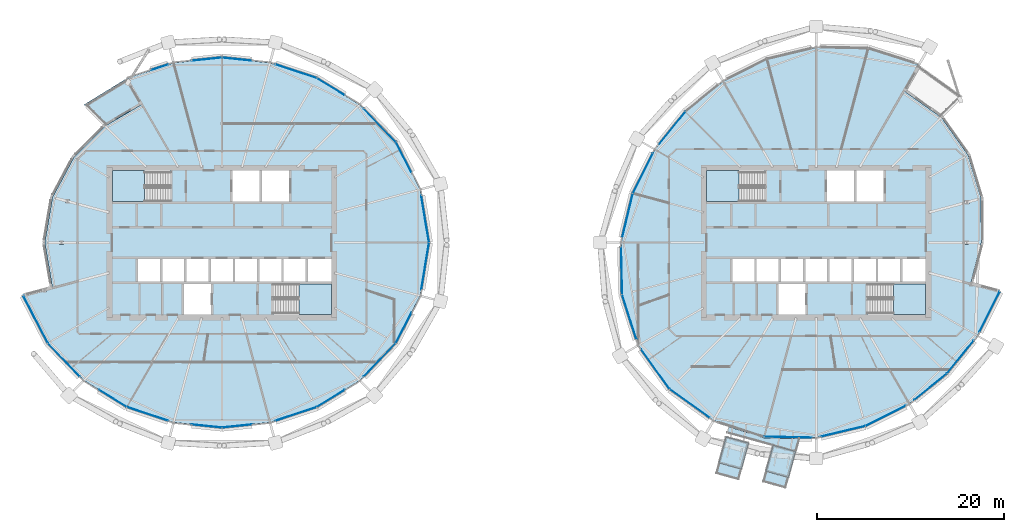
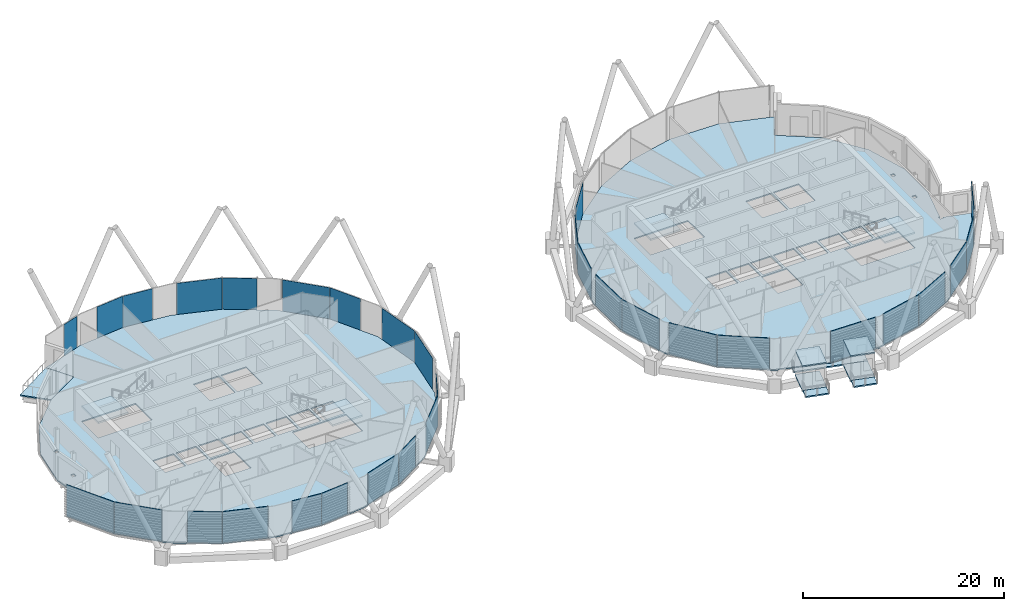
# One storey, part 19 of 37: 32 plates, 14 slabs, 6 elements without a shape of their own.
"""IFC4 building model written with IfcOpenShell, lengths in metres."""

from ifc_helpers import new_model, si_unit, direction, frame, origin, origin_2d, place, context, subcontext, project, spatial, polyline, rectangle, outline, extrude, material, layer, layer_set, type_object, element, aggregate, save


model = new_model("IFC4")

# Units and contexts
model_context = context("Model", 3, precision=1e-05, world=origin(), true_north=direction((0.0, 1.0)))
body_context = subcontext(model_context, "Body", "Model", "MODEL_VIEW")
ifc_project = project(units=[si_unit("LENGTHUNIT", "METRE"), si_unit("AREAUNIT", "SQUARE_METRE"), si_unit("VOLUMEUNIT", "CUBIC_METRE"), si_unit("PLANEANGLEUNIT", "RADIAN"), si_unit("MASSUNIT", "GRAM", prefix="KILO")], contexts=[model_context])

# Site, building, storey
site_placement = place(None, origin())
site = spatial("IfcSite", under=ifc_project, at=site_placement, CompositionType="ELEMENT")
building_placement = place(site_placement, origin())
building = spatial("IfcBuilding", under=site, at=building_placement, Name="Rimbun Link Towers", CompositionType="ELEMENT")
storey_placement = place(building_placement, frame((0.0, 0.0, 170.300048828125)))
storey = spatial("IfcBuildingStorey", under=building, at=storey_placement, Name="L41", CompositionType="ELEMENT", Elevation=170.300048828125)

# Slabs
ifc_material_1 = material(Name="Insulated metal floor panel on steel frame", Category="steel")
ifc_layer_1 = layer(ifc_material_1, 0.159912109375)
ifc_layer_set_1 = layer_set([ifc_layer_1], Name="CAPSULE balcony panel 160")
slab_type_1 = type_object("IfcSlabType", Name="CAPSULE balcony panel 160", PredefinedType="FLOOR", material=ifc_layer_set_1)
slab_1_placement = place(storey_placement, frame((0.0, 0.0, -0.16015625)))
element("IfcSlab", 1, at=slab_1_placement, inside=storey, type_object=slab_type_1, Name="CAPSULE D412.01 balcony floor", PredefinedType="FLOOR", context=body_context, shape_type="SweptSolid", body=[
    extrude(outline(polyline([(26.13134765625, -25.5146484375), (28.445556640625, -26.150146484375), (28.73681640625, -25.089599609375), (26.422607421875, -24.453857421875), (26.13134765625, -25.5146484375)])), origin(), (0.0, 0.0, 1.0), 0.16015625),
])
slab_2_placement = place(storey_placement, frame((0.0, 0.0, -0.16015625)))
element("IfcSlab", 2, at=slab_2_placement, inside=storey, type_object=slab_type_1, Name="CAPSULE D412.02 balcony floor", PredefinedType="FLOOR", context=body_context, shape_type="SweptSolid", body=[
    extrude(outline(polyline([(21.109375, -24.62548828125), (23.423583984375, -25.26123046875), (23.715087890625, -24.200439453125), (21.400634765625, -23.56494140625), (21.109375, -24.62548828125)])), origin(), (0.0, 0.0, 1.0), 0.16015625),
])
slab_3_placement = place(storey_placement, frame((0.0, 0.0, -0.16015625)))
element("IfcSlab", 3, at=slab_3_placement, inside=storey, type_object=slab_type_1, Name="CAPSULE D412 gallery floor", PredefinedType="FLOOR", context=body_context, shape_type="SweptSolid", body=[
    extrude(outline(polyline([(24.3994140625, -20.30126953125), (22.418212890625, -19.671142578125), (22.24560546875, -20.29931640625), (29.55322265625, -22.30615234375), (29.927001953125, -20.94482421875), (26.17431640625, -20.86572265625), (25.771484375, -20.737548828125), (25.786865234375, -20.68994140625), (24.41455078125, -20.253662109375), (24.3994140625, -20.30126953125)])), origin(), (0.0, 0.0, 1.0), 0.16015625),
])
ifc_material_2 = material(Name="Insulated metal floor panel on steel frame", Category="steel")
ifc_layer_2 = layer(ifc_material_2, 0.159912109375)
ifc_layer_set_2 = layer_set([ifc_layer_2], Name="CAPSULE floor panel 160")
slab_type_2 = type_object("IfcSlabType", Name="CAPSULE floor panel 160", PredefinedType="FLOOR", material=ifc_layer_set_2)
slab_4_placement = place(storey_placement, frame((0.0, 0.0, -0.16015625)))
element("IfcSlab", 4, at=slab_4_placement, inside=storey, type_object=slab_type_2, Name="CAPSULE D412.01 floor panel", PredefinedType="FLOOR", context=body_context, shape_type="SweptSolid", body=[
    extrude(outline(polyline([(26.374267578125, -24.440673828125), (28.78515625, -25.102783203125), (29.55322265625, -22.30615234375), (27.142333984375, -21.644287109375), (26.374267578125, -24.440673828125)])), origin(), (0.0, 0.0, 1.0), 0.16015625),
])
slab_5_placement = place(storey_placement, frame((0.0, 0.0, -0.16015625)))
element("IfcSlab", 5, at=slab_5_placement, inside=storey, type_object=slab_type_2, Name="CAPSULE D412.02 floor panel", PredefinedType="FLOOR", context=body_context, shape_type="SweptSolid", body=[
    extrude(outline(polyline([(21.3525390625, -23.551513671875), (23.76318359375, -24.213623046875), (24.53125, -21.417236328125), (22.12060546875, -20.755126953125), (21.3525390625, -23.551513671875)])), origin(), (0.0, 0.0, 1.0), 0.16015625),
])
ifc_material_3 = material(Name="Insulated metal roof panel with terracotta fascia", Category="masonry")
ifc_layer_3 = layer(ifc_material_3, 0.14990234375)
ifc_layer_set_3 = layer_set([ifc_layer_3], Name="CAPSULE roof panel 150")
slab_type_3 = type_object("IfcSlabType", Name="CAPSULE roof panel 150", PredefinedType="ROOF", material=ifc_layer_set_3)
slab_6_placement = place(storey_placement, frame((0.0, 0.0, 2.849853515625)))
element("IfcSlab", 6, at=slab_6_placement, inside=storey, type_object=slab_type_3, Name="CAPSULE D412.01 roof panel", PredefinedType="ROOF", context=body_context, shape_type="SweptSolid", body=[
    extrude(outline(polyline([(26.374267578125, -24.440673828125), (28.78515625, -25.102783203125), (29.55322265625, -22.30615234375), (27.142333984375, -21.644287109375), (26.374267578125, -24.440673828125)])), origin(), (0.0, 0.0, 1.0), 0.150146484375),
])
slab_7_placement = place(storey_placement, frame((0.0, 0.0, 2.849853515625)))
element("IfcSlab", 7, at=slab_7_placement, inside=storey, type_object=slab_type_3, Name="CAPSULE D412.02 roof panel", PredefinedType="ROOF", context=body_context, shape_type="SweptSolid", body=[
    extrude(outline(polyline([(21.3525390625, -23.551513671875), (23.76318359375, -24.213623046875), (24.53125, -21.417236328125), (22.12060546875, -20.755126953125), (21.3525390625, -23.551513671875)])), origin(), (0.0, 0.0, 1.0), 0.150146484375),
])
ifc_material_4 = material(Name="Concrete C35/45", Category="concrete")
ifc_layer_4 = layer(ifc_material_4, 0.14990234375)
ifc_layer_set_4 = layer_set([ifc_layer_4], Name="COMPOSITE FLOOR 150")
slab_type_4 = type_object("IfcSlabType", Name="COMPOSITE FLOOR 150", PredefinedType="FLOOR", material=ifc_layer_set_4)
slab_8_placement = place(storey_placement, frame((0.0, 0.0, -0.150146484375)))
element("IfcSlab", 8, at=slab_8_placement, inside=storey, type_object=slab_type_4, Name="Floor slab T1 L41", PredefinedType="FLOOR", context=body_context, shape_type="SweptSolid", body=[
    extrude(outline(polyline([(-49.843994140625, -4.848388671875), (-50.66845703125, 0.0), (-49.843994140625, 4.848388671875), (-47.55224609375, 9.12353515625), (-44.218505859375, 12.468505859375), (-40.28466796875, 14.7822265625), (-41.884521484375, 17.5537109375), (-36.896484375, 19.20654296875), (-31.75, 19.74853515625), (-26.603515625, 19.20654296875), (-21.615478515625, 17.5537109375), (-17.018798828125, 14.731201171875), (-13.176513671875, 10.723388671875), (-10.56494140625, 5.676513671875), (-9.631591796875, 0.0), (-10.56494140625, -5.676513671875), (-13.176513671875, -10.723388671875), (-17.018798828125, -14.731201171875), (-21.615478515625, -17.5537109375), (-26.603515625, -19.20654296875), (-31.75, -19.74853515625), (-36.896484375, -19.20654296875), (-41.884521484375, -17.5537109375), (-46.481201171875, -14.731201171875), (-50.323486328125, -10.723388671875), (-52.93505859375, -5.676513671875), (-50.901123046875, -5.131591796875), (-50.901123046875, -5.27490234375), (-50.502197265625, -5.27490234375), (-50.502197265625, -5.024658203125), (-49.843994140625, -4.848388671875)]), holes=[polyline([(-32.89990234375, -7.699951171875), (-32.89990234375, -4.39990234375), (-35.800048828125, -4.39990234375), (-35.800048828125, -7.699951171875), (-32.89990234375, -7.699951171875)]), polyline([(-38.361083984375, -4.14990234375), (-38.361083984375, -1.75), (-40.70556640625, -1.75), (-40.70556640625, -4.14990234375), (-38.361083984375, -4.14990234375)]), polyline([(-35.7666015625, -4.14990234375), (-35.7666015625, -1.75), (-38.111083984375, -1.75), (-38.111083984375, -4.14990234375), (-35.7666015625, -4.14990234375)]), polyline([(-33.172119140625, -4.14990234375), (-33.172119140625, -1.75), (-35.5166015625, -1.75), (-35.5166015625, -4.14990234375), (-33.172119140625, -4.14990234375)]), polyline([(-48.670654296875, -0.19677734375), (-48.670654296875, 0.19677734375), (-49.069580078125, 0.19677734375), (-49.069580078125, -0.19677734375), (-48.670654296875, -0.19677734375)]), polyline([(-48.0302734375, 4.218994140625), (-48.0302734375, 4.612548828125), (-48.42919921875, 4.612548828125), (-48.42919921875, 4.218994140625), (-48.0302734375, 4.218994140625)]), polyline([(-37.260009765625, 4.39990234375), (-37.260009765625, 7.699951171875), (-43.449951171875, 7.699951171875), (-43.449951171875, 4.39990234375), (-37.260009765625, 4.39990234375)]), polyline([(-20.050048828125, -7.699951171875), (-20.050048828125, -4.39990234375), (-26.239990234375, -4.39990234375), (-26.239990234375, -7.699951171875), (-20.050048828125, -7.699951171875)]), polyline([(-30.577880859375, -4.14990234375), (-30.577880859375, -1.75), (-32.922119140625, -1.75), (-32.922119140625, -4.14990234375), (-30.577880859375, -4.14990234375)]), polyline([(-27.9833984375, -4.14990234375), (-27.9833984375, -1.75), (-30.327880859375, -1.75), (-30.327880859375, -4.14990234375), (-27.9833984375, -4.14990234375)]), polyline([(-25.388916015625, -4.14990234375), (-25.388916015625, -1.75), (-27.7333984375, -1.75), (-27.7333984375, -4.14990234375), (-25.388916015625, -4.14990234375)]), polyline([(-22.79443359375, -4.14990234375), (-22.79443359375, -1.75), (-25.138916015625, -1.75), (-25.138916015625, -4.14990234375), (-22.79443359375, -4.14990234375)]), polyline([(-20.050048828125, -4.14990234375), (-20.050048828125, -1.75), (-22.54443359375, -1.75), (-22.54443359375, -4.14990234375), (-20.050048828125, -4.14990234375)]), polyline([(-27.699951171875, 4.39990234375), (-27.699951171875, 7.699951171875), (-30.60009765625, 7.699951171875), (-30.60009765625, 4.39990234375), (-27.699951171875, 4.39990234375)]), polyline([(-24.550048828125, 4.39990234375), (-24.550048828125, 7.699951171875), (-27.449951171875, 7.699951171875), (-27.449951171875, 4.39990234375), (-24.550048828125, 4.39990234375)])]), origin(), (0.0, 0.0, 1.0), 0.150146484375),
])
slab_9_placement = place(storey_placement, frame((0.0, 0.0, -0.150146484375)))
element("IfcSlab", 9, at=slab_9_placement, inside=storey, type_object=slab_type_4, Name="Floor slab T2 L41", PredefinedType="FLOOR", context=body_context, shape_type="SweptSolid", body=[
    extrude(outline(polyline([(51.32861328125, -5.24609375), (48.97021484375, -9.942138671875), (45.71435546875, -13.96435546875), (41.692138671875, -17.22021484375), (36.99609375, -19.57861328125), (31.75, -20.8330078125), (26.19921875, -20.71630859375), (20.78369140625, -18.993896484375), (16.10986328125, -15.64013671875), (12.756103515625, -10.96630859375), (11.03369140625, -5.55078125), (10.9169921875, 0.0), (12.17138671875, 5.24609375), (14.52978515625, 9.942138671875), (17.78564453125, 13.96435546875), (21.807861328125, 17.22021484375), (26.50390625, 19.57861328125), (31.75, 20.8330078125), (37.30078125, 20.71630859375), (42.71630859375, 18.993896484375), (41.1162109375, 16.22265625), (45.12744140625, 13.37744140625), (47.97265625, 9.3662109375), (49.375244140625, 4.72265625), (49.383056640625, 0.0), (48.282958984375, -4.242919921875), (48.119384765625, -4.242919921875), (48.119384765625, -4.636474609375), (48.5185546875, -4.636474609375), (48.5185546875, -4.4931640625), (51.32861328125, -5.24609375)]), holes=[polyline([(30.60009765625, -7.699951171875), (30.60009765625, -4.39990234375), (27.699951171875, -4.39990234375), (27.699951171875, -7.699951171875), (30.60009765625, -7.699951171875)]), polyline([(25.138916015625, -4.14990234375), (25.138916015625, -1.75), (22.79443359375, -1.75), (22.79443359375, -4.14990234375), (25.138916015625, -4.14990234375)]), polyline([(27.7333984375, -4.14990234375), (27.7333984375, -1.75), (25.388916015625, -1.75), (25.388916015625, -4.14990234375), (27.7333984375, -4.14990234375)]), polyline([(30.327880859375, -4.14990234375), (30.327880859375, -1.75), (27.9833984375, -1.75), (27.9833984375, -4.14990234375), (30.327880859375, -4.14990234375)]), polyline([(32.922119140625, -4.14990234375), (32.922119140625, -1.75), (30.577880859375, -1.75), (30.577880859375, -4.14990234375), (32.922119140625, -4.14990234375)]), polyline([(35.5166015625, -4.14990234375), (35.5166015625, -1.75), (33.172119140625, -1.75), (33.172119140625, -4.14990234375), (35.5166015625, -4.14990234375)]), polyline([(26.239990234375, 4.39990234375), (26.239990234375, 7.699951171875), (20.050048828125, 7.699951171875), (20.050048828125, 4.39990234375), (26.239990234375, 4.39990234375)]), polyline([(35.800048828125, 4.39990234375), (35.800048828125, 7.699951171875), (32.89990234375, 7.699951171875), (32.89990234375, 4.39990234375), (35.800048828125, 4.39990234375)]), polyline([(43.449951171875, -7.699951171875), (43.449951171875, -4.39990234375), (37.260009765625, -4.39990234375), (37.260009765625, -7.699951171875), (43.449951171875, -7.699951171875)]), polyline([(38.111083984375, -4.14990234375), (38.111083984375, -1.75), (35.7666015625, -1.75), (35.7666015625, -4.14990234375), (38.111083984375, -4.14990234375)]), polyline([(40.70556640625, -4.14990234375), (40.70556640625, -1.75), (38.361083984375, -1.75), (38.361083984375, -4.14990234375), (40.70556640625, -4.14990234375)]), polyline([(43.449951171875, -4.14990234375), (43.449951171875, -1.75), (40.95556640625, -1.75), (40.95556640625, -4.14990234375), (43.449951171875, -4.14990234375)]), polyline([(48.037109375, -0.19677734375), (48.037109375, 0.19677734375), (47.637939453125, 0.19677734375), (47.637939453125, -0.19677734375), (48.037109375, -0.19677734375)]), polyline([(48.05224609375, 4.117919921875), (48.05224609375, 4.511474609375), (47.6533203125, 4.511474609375), (47.6533203125, 4.117919921875), (48.05224609375, 4.117919921875)]), polyline([(38.949951171875, 4.39990234375), (38.949951171875, 7.699951171875), (36.050048828125, 7.699951171875), (36.050048828125, 4.39990234375), (38.949951171875, 4.39990234375)])]), origin(), (0.0, 0.0, 1.0), 0.150146484375),
])

# Curtain wall, plates
ifc_material_5 = material(Name="Aluminium 6063-T6 and low-iron glass", Category="aluminium")
curtain_wall_type = type_object("IfcCurtainWallType", Name="CW1-Z3 unitised vision wall (zone 3)", PredefinedType="NOTDEFINED", material=ifc_material_5)
curtain_wall_1_placement = place(storey_placement, origin())
curtain_wall_1 = element("IfcCurtainWall", 10, at=curtain_wall_1_placement, inside=storey, type_object=curtain_wall_type, Name="CW1 L41 T1", PredefinedType="NOTDEFINED")
ifc_material_6 = material(Name="Low-iron glass, laminated low-e unit", Category="glass")
ifc_layer_5 = layer(ifc_material_6, 0.028076171875)
ifc_layer_set_5 = layer_set([ifc_layer_5], Name="CW1 panel Low-iron glass 28")
plate_type = type_object("IfcPlateType", Name="CW1 panel Low-iron glass 28", PredefinedType="CURTAIN_PANEL", material=ifc_layer_set_5)
plate_1_placement = place(storey_placement, frame((-10.03173828125, 2.519775390625, 0.0), z_axis=(0.0, 0.0, 1.0), x_axis=(0.162253435593, -0.986749118387, 0.0)))
plate_1 = element("IfcPlate", 11, at=plate_1_placement, type_object=plate_type, Name="CW1 panel", PredefinedType="CURTAIN_PANEL", context=body_context, shape_type="SweptSolid", body=[
    extrude(rectangle(XDim=5.062744140625, YDim=0.028076171875, at=origin_2d()), origin(), (0.0, 0.0, 1.0), 3.800048828125),
])
plate_2_placement = place(storey_placement, frame((-12.329345703125, 9.11669921875, 0.0), z_axis=(0.0, 0.0, 1.0), x_axis=(0.459559352042, -0.888147060993, 0.0)))
plate_2 = element("IfcPlate", 12, at=plate_2_placement, type_object=plate_type, Name="CW1 panel", PredefinedType="CURTAIN_PANEL", context=body_context, shape_type="SweptSolid", body=[
    extrude(rectangle(XDim=3.592529296875, YDim=0.028076171875, at=origin_2d()), origin(), (0.0, 0.0, 1.0), 3.800048828125),
])
plate_3_placement = place(storey_placement, frame((-14.8798828125, 12.5205078125, 0.0), z_axis=(0.0, 0.0, 1.0), x_axis=(0.692045397695, -0.721853979368, 0.0)))
plate_3 = element("IfcPlate", 13, at=plate_3_placement, type_object=plate_type, Name="CW1 panel", PredefinedType="CURTAIN_PANEL", context=body_context, shape_type="SweptSolid", body=[
    extrude(rectangle(XDim=4.912109375, YDim=0.028076171875, at=origin_2d()), origin(), (0.0, 0.0, 1.0), 3.800048828125),
])
plate_4_placement = place(storey_placement, frame((-20.119384765625, 16.6513671875, 0.0), z_axis=(0.0, 0.0, 1.0), x_axis=(0.852190659368, -0.523231382934, 0.0)))
plate_4 = element("IfcPlate", 14, at=plate_4_placement, type_object=plate_type, Name="CW1 panel", PredefinedType="CURTAIN_PANEL", context=body_context, shape_type="SweptSolid", body=[
    extrude(rectangle(XDim=3.4541015625, YDim=0.028076171875, at=origin_2d()), origin(), (0.0, 0.0, 1.0), 3.800048828125),
])
plate_5_placement = place(storey_placement, frame((-23.8203125, 18.299072265625, 0.0), z_axis=(0.0, 0.0, 1.0), x_axis=(0.949237499521, -0.314560279601, 0.0)))
plate_5 = element("IfcPlate", 15, at=plate_5_placement, type_object=plate_type, Name="CW1 panel", PredefinedType="CURTAIN_PANEL", context=body_context, shape_type="SweptSolid", body=[
    extrude(rectangle(XDim=4.614990234375, YDim=0.028076171875, at=origin_2d()), origin(), (0.0, 0.0, 1.0), 3.800048828125),
])
plate_6_placement = place(storey_placement, frame((-30.14501953125, 19.59375, 0.0), z_axis=(0.0, 0.0, 1.0), x_axis=(0.994499945476, -0.104737092036, 0.0)))
plate_6 = element("IfcPlate", 16, at=plate_6_placement, type_object=plate_type, Name="CW1 panel", PredefinedType="CURTAIN_PANEL", context=body_context, shape_type="SweptSolid", body=[
    extrude(rectangle(XDim=3.184814453125, YDim=0.028076171875, at=origin_2d()), origin(), (0.0, 0.0, 1.0), 3.800048828125),
])
plate_7_placement = place(storey_placement, frame((-33.35498046875, 19.59375, 0.0), z_axis=(0.0, 0.0, 1.0), x_axis=(0.994499945476, 0.104737092036, 0.0)))
plate_7 = element("IfcPlate", 17, at=plate_7_placement, type_object=plate_type, Name="CW1 panel", PredefinedType="CURTAIN_PANEL", context=body_context, shape_type="SweptSolid", body=[
    extrude(rectangle(XDim=3.184814453125, YDim=0.028076171875, at=origin_2d()), origin(), (0.0, 0.0, 1.0), 3.800048828125),
])
plate_8_placement = place(storey_placement, frame((-38.398193359375, 18.7236328125, 0.0), z_axis=(0.0, 0.0, 1.0), x_axis=(0.949237499521, 0.314560279601, 0.0)))
plate_8 = element("IfcPlate", 18, at=plate_8_placement, type_object=plate_type, Name="CW1 panel", PredefinedType="CURTAIN_PANEL", context=body_context, shape_type="SweptSolid", body=[
    extrude(rectangle(XDim=1.9150390625, YDim=0.028076171875, at=origin_2d()), origin(), (0.0, 0.0, 1.0), 3.800048828125),
])
plate_9_placement = place(storey_placement, frame((-51.641845703125, -8.20654296875, 0.0), z_axis=(0.0, 0.0, 1.0), x_axis=(-0.459559352042, 0.888147060993, 0.0)))
plate_9 = element("IfcPlate", 19, at=plate_9_placement, type_object=plate_type, Name="CW1 panel", PredefinedType="CURTAIN_PANEL", context=body_context, shape_type="SweptSolid", body=[
    extrude(rectangle(XDim=5.642578125, YDim=0.028076171875, at=origin_2d()), origin(), (0.0, 0.0, 1.0), 3.800048828125),
])
plate_10_placement = place(storey_placement, frame((-48.6201171875, -12.5205078125, 0.0), z_axis=(0.0, 0.0, 1.0), x_axis=(-0.692045397695, 0.721853979368, 0.0)))
plate_10 = element("IfcPlate", 20, at=plate_10_placement, type_object=plate_type, Name="CW1 panel", PredefinedType="CURTAIN_PANEL", context=body_context, shape_type="SweptSolid", body=[
    extrude(rectangle(XDim=4.912109375, YDim=0.028076171875, at=origin_2d()), origin(), (0.0, 0.0, 1.0), 3.800048828125),
])
plate_11_placement = place(storey_placement, frame((-43.380615234375, -16.6513671875, 0.0), z_axis=(0.0, 0.0, 1.0), x_axis=(-0.852190659368, 0.523231382934, 0.0)))
plate_11 = element("IfcPlate", 21, at=plate_11_placement, type_object=plate_type, Name="CW1 panel", PredefinedType="CURTAIN_PANEL", context=body_context, shape_type="SweptSolid", body=[
    extrude(rectangle(XDim=3.4541015625, YDim=0.028076171875, at=origin_2d()), origin(), (0.0, 0.0, 1.0), 3.800048828125),
])
plate_12_placement = place(storey_placement, frame((-39.6796875, -18.299072265625, 0.0), z_axis=(0.0, 0.0, 1.0), x_axis=(-0.949237499521, 0.314560279601, 0.0)))
plate_12 = element("IfcPlate", 22, at=plate_12_placement, type_object=plate_type, Name="CW1 panel", PredefinedType="CURTAIN_PANEL", context=body_context, shape_type="SweptSolid", body=[
    extrude(rectangle(XDim=4.614990234375, YDim=0.028076171875, at=origin_2d()), origin(), (0.0, 0.0, 1.0), 3.800048828125),
])
plate_13_placement = place(storey_placement, frame((-33.35498046875, -19.59375, 0.0), z_axis=(0.0, 0.0, 1.0), x_axis=(-0.994499945476, 0.104737092036, 0.0)))
plate_13 = element("IfcPlate", 23, at=plate_13_placement, type_object=plate_type, Name="CW1 panel", PredefinedType="CURTAIN_PANEL", context=body_context, shape_type="SweptSolid", body=[
    extrude(rectangle(XDim=3.184814453125, YDim=0.028076171875, at=origin_2d()), origin(), (0.0, 0.0, 1.0), 3.800048828125),
])
plate_14_placement = place(storey_placement, frame((-30.14501953125, -19.59375, 0.0), z_axis=(0.0, 0.0, 1.0), x_axis=(-0.994499945476, -0.104737092036, 0.0)))
plate_14 = element("IfcPlate", 24, at=plate_14_placement, type_object=plate_type, Name="CW1 panel", PredefinedType="CURTAIN_PANEL", context=body_context, shape_type="SweptSolid", body=[
    extrude(rectangle(XDim=3.184814453125, YDim=0.028076171875, at=origin_2d()), origin(), (0.0, 0.0, 1.0), 3.800048828125),
])
plate_15_placement = place(storey_placement, frame((-23.8203125, -18.299072265625, 0.0), z_axis=(0.0, 0.0, 1.0), x_axis=(-0.949237499521, -0.314560279601, 0.0)))
plate_15 = element("IfcPlate", 25, at=plate_15_placement, type_object=plate_type, Name="CW1 panel", PredefinedType="CURTAIN_PANEL", context=body_context, shape_type="SweptSolid", body=[
    extrude(rectangle(XDim=4.614990234375, YDim=0.028076171875, at=origin_2d()), origin(), (0.0, 0.0, 1.0), 3.800048828125),
])
plate_16_placement = place(storey_placement, frame((-20.119384765625, -16.6513671875, 0.0), z_axis=(0.0, 0.0, 1.0), x_axis=(-0.852190659368, -0.523231382934, 0.0)))
plate_16 = element("IfcPlate", 26, at=plate_16_placement, type_object=plate_type, Name="CW1 panel", PredefinedType="CURTAIN_PANEL", context=body_context, shape_type="SweptSolid", body=[
    extrude(rectangle(XDim=3.4541015625, YDim=0.028076171875, at=origin_2d()), origin(), (0.0, 0.0, 1.0), 3.800048828125),
])
plate_17_placement = place(storey_placement, frame((-14.8798828125, -12.5205078125, 0.0), z_axis=(0.0, 0.0, 1.0), x_axis=(-0.692045397695, -0.721853979368, 0.0)))
plate_17 = element("IfcPlate", 27, at=plate_17_placement, type_object=plate_type, Name="CW1 panel", PredefinedType="CURTAIN_PANEL", context=body_context, shape_type="SweptSolid", body=[
    extrude(rectangle(XDim=4.912109375, YDim=0.028076171875, at=origin_2d()), origin(), (0.0, 0.0, 1.0), 3.800048828125),
])
plate_18_placement = place(storey_placement, frame((-12.329345703125, -9.11669921875, 0.0), z_axis=(0.0, 0.0, 1.0), x_axis=(-0.459559352042, -0.888147060993, 0.0)))
plate_18 = element("IfcPlate", 28, at=plate_18_placement, type_object=plate_type, Name="CW1 panel", PredefinedType="CURTAIN_PANEL", context=body_context, shape_type="SweptSolid", body=[
    extrude(rectangle(XDim=3.592529296875, YDim=0.028076171875, at=origin_2d()), origin(), (0.0, 0.0, 1.0), 3.800048828125),
])
plate_19_placement = place(storey_placement, frame((-10.03173828125, -2.519775390625, 0.0), z_axis=(0.0, 0.0, 1.0), x_axis=(-0.162253435593, -0.986749118387, 0.0)))
plate_19 = element("IfcPlate", 29, at=plate_19_placement, type_object=plate_type, Name="CW1 panel", PredefinedType="CURTAIN_PANEL", context=body_context, shape_type="SweptSolid", body=[
    extrude(rectangle(XDim=5.062744140625, YDim=0.028076171875, at=origin_2d()), origin(), (0.0, 0.0, 1.0), 3.800048828125),
])
aggregate(curtain_wall_1, [plate_1, plate_2, plate_3, plate_4, plate_5, plate_6, plate_7, plate_8, plate_9, plate_10, plate_11, plate_12, plate_13, plate_14, plate_15, plate_16, plate_17, plate_18, plate_19])

curtain_wall_2_placement = place(storey_placement, origin())
curtain_wall_2 = element("IfcCurtainWall", 30, at=curtain_wall_2_placement, inside=storey, type_object=curtain_wall_type, Name="CW1 L41 T2", PredefinedType="NOTDEFINED")
plate_20_placement = place(storey_placement, frame((16.366943359375, 12.234130859375, 0.0), z_axis=(0.0, 0.0, 1.0), x_axis=(0.629157646962, 0.777277720811, 0.0)))
plate_20 = element("IfcPlate", 31, at=plate_20_placement, type_object=plate_type, Name="CW1 panel", PredefinedType="CURTAIN_PANEL", context=body_context, shape_type="SweptSolid", body=[
    extrude(rectangle(XDim=4.434814453125, YDim=0.028076171875, at=origin_2d()), origin(), (0.0, 0.0, 1.0), 3.800048828125),
])
plate_21_placement = place(storey_placement, frame((13.237060546875, 7.399169921875, 0.0), z_axis=(0.0, 0.0, 1.0), x_axis=(0.44877333613, 0.893645619235, 0.0)))
plate_21 = element("IfcPlate", 32, at=plate_21_placement, type_object=plate_type, Name="CW1 panel", PredefinedType="CURTAIN_PANEL", context=body_context, shape_type="SweptSolid", body=[
    extrude(rectangle(XDim=4.764892578125, YDim=0.028076171875, at=origin_2d()), origin(), (0.0, 0.0, 1.0), 3.800048828125),
])
plate_22_placement = place(storey_placement, frame((11.594482421875, 2.893798828125, 0.0), z_axis=(0.0, 0.0, 1.0), x_axis=(0.232594562001, 0.972573786264, 0.0)))
plate_22 = element("IfcPlate", 33, at=plate_22_placement, type_object=plate_type, Name="CW1 panel", PredefinedType="CURTAIN_PANEL", context=body_context, shape_type="SweptSolid", body=[
    extrude(rectangle(XDim=4.803955078125, YDim=0.028076171875, at=origin_2d()), origin(), (0.0, 0.0, 1.0), 3.800048828125),
])
plate_23_placement = place(storey_placement, frame((10.966064453125, -3.000732421875, 0.0), z_axis=(0.0, 0.0, 1.0), x_axis=(-0.021054979477, 0.999778319348, 0.0)))
plate_23 = element("IfcPlate", 34, at=plate_23_placement, type_object=plate_type, Name="CW1 panel", PredefinedType="CURTAIN_PANEL", context=body_context, shape_type="SweptSolid", body=[
    extrude(rectangle(XDim=5.06201171875, YDim=0.028076171875, at=origin_2d()), origin(), (0.0, 0.0, 1.0), 3.800048828125),
])
plate_24_placement = place(storey_placement, frame((11.782958984375, -7.953125, 0.0), z_axis=(0.0, 0.0, 1.0), x_axis=(-0.303067824946, 0.952968988731, 0.0)))
plate_24 = element("IfcPlate", 35, at=plate_24_placement, type_object=plate_type, Name="CW1 panel", PredefinedType="CURTAIN_PANEL", context=body_context, shape_type="SweptSolid", body=[
    extrude(rectangle(XDim=4.99267578125, YDim=0.028076171875, at=origin_2d()), origin(), (0.0, 0.0, 1.0), 3.800048828125),
])
plate_25_placement = place(storey_placement, frame((14.5673828125, -13.514404296875, 0.0), z_axis=(0.0, 0.0, 1.0), x_axis=(-0.583009413827, 0.812465398272, 0.0)))
plate_25 = element("IfcPlate", 36, at=plate_25_placement, type_object=plate_type, Name="CW1 panel", PredefinedType="CURTAIN_PANEL", context=body_context, shape_type="SweptSolid", body=[
    extrude(rectangle(XDim=5.212646484375, YDim=0.028076171875, at=origin_2d()), origin(), (0.0, 0.0, 1.0), 3.800048828125),
])
plate_26_placement = place(storey_placement, frame((18.235595703125, -17.1826171875, 0.0), z_axis=(0.0, 0.0, 1.0), x_axis=(-0.812465398272, 0.583009413827, 0.0)))
plate_26 = element("IfcPlate", 37, at=plate_26_placement, type_object=plate_type, Name="CW1 panel", PredefinedType="CURTAIN_PANEL", context=body_context, shape_type="SweptSolid", body=[
    extrude(rectangle(XDim=5.212646484375, YDim=0.028076171875, at=origin_2d()), origin(), (0.0, 0.0, 1.0), 3.800048828125),
])
plate_27_placement = place(storey_placement, frame((28.749267578125, -20.783935546875, 0.0), z_axis=(0.0, 0.0, 1.0), x_axis=(-0.999778319348, 0.021054979477, 0.0)))
plate_27 = element("IfcPlate", 38, at=plate_27_placement, type_object=plate_type, Name="CW1 panel", PredefinedType="CURTAIN_PANEL", context=body_context, shape_type="SweptSolid", body=[
    extrude(rectangle(XDim=5.06201171875, YDim=0.028076171875, at=origin_2d()), origin(), (0.0, 0.0, 1.0), 3.800048828125),
])
plate_28_placement = place(storey_placement, frame((34.619384765625, -20.161376953125, 0.0), z_axis=(0.0, 0.0, 1.0), x_axis=(-0.972573786264, -0.232594562001, 0.0)))
plate_28 = element("IfcPlate", 39, at=plate_28_placement, type_object=plate_type, Name="CW1 panel", PredefinedType="CURTAIN_PANEL", context=body_context, shape_type="SweptSolid", body=[
    extrude(rectangle(XDim=4.85400390625, YDim=0.028076171875, at=origin_2d()), origin(), (0.0, 0.0, 1.0), 3.800048828125),
])
plate_29_placement = place(storey_placement, frame((39.149169921875, -18.512939453125, 0.0), z_axis=(0.0, 0.0, 1.0), x_axis=(-0.893645619235, -0.44877333613, 0.0)))
plate_29 = element("IfcPlate", 40, at=plate_29_placement, type_object=plate_type, Name="CW1 panel", PredefinedType="CURTAIN_PANEL", context=body_context, shape_type="SweptSolid", body=[
    extrude(rectangle(XDim=4.764892578125, YDim=0.028076171875, at=origin_2d()), origin(), (0.0, 0.0, 1.0), 3.800048828125),
])
plate_30_placement = place(storey_placement, frame((43.964599609375, -15.398681640625, 0.0), z_axis=(0.0, 0.0, 1.0), x_axis=(-0.777277720811, -0.629157646962, 0.0)))
plate_30 = element("IfcPlate", 41, at=plate_30_placement, type_object=plate_type, Name="CW1 panel", PredefinedType="CURTAIN_PANEL", context=body_context, shape_type="SweptSolid", body=[
    extrude(rectangle(XDim=4.48486328125, YDim=0.028076171875, at=origin_2d()), origin(), (0.0, 0.0, 1.0), 3.800048828125),
])
plate_31_placement = place(storey_placement, frame((47.148681640625, -12.214599609375, 0.0), z_axis=(0.0, 0.0, 1.0), x_axis=(-0.629157646962, -0.777277720811, 0.0)))
plate_31 = element("IfcPlate", 42, at=plate_31_placement, type_object=plate_type, Name="CW1 panel", PredefinedType="CURTAIN_PANEL", context=body_context, shape_type="SweptSolid", body=[
    extrude(rectangle(XDim=4.48486328125, YDim=0.028076171875, at=origin_2d()), origin(), (0.0, 0.0, 1.0), 3.800048828125),
])
plate_32_placement = place(storey_placement, frame((50.262939453125, -7.399169921875, 0.0), z_axis=(0.0, 0.0, 1.0), x_axis=(-0.44877333613, -0.893645619235, 0.0)))
plate_32 = element("IfcPlate", 43, at=plate_32_placement, type_object=plate_type, Name="CW1 panel", PredefinedType="CURTAIN_PANEL", context=body_context, shape_type="SweptSolid", body=[
    extrude(rectangle(XDim=4.764892578125, YDim=0.028076171875, at=origin_2d()), origin(), (0.0, 0.0, 1.0), 3.800048828125),
])
aggregate(curtain_wall_2, [plate_20, plate_21, plate_22, plate_23, plate_24, plate_25, plate_26, plate_27, plate_28, plate_29, plate_30, plate_31, plate_32])

# Stair, slab
ifc_material_7 = material(Name="Concrete C40/50", Category="concrete")
stair_type = type_object("IfcStairType", Name="Exit stair 3800 rise", PredefinedType="HALF_TURN_STAIR", material=ifc_material_7)
stair_1_placement = place(storey_placement, origin())
stair_1 = element("IfcStair", 44, at=stair_1_placement, inside=storey, type_object=stair_type, Name="L41 EXIT STAIR A", PredefinedType="HALF_TURN_STAIR")
ifc_material_8 = material(Name="Concrete C40/50", Category="concrete")
ifc_layer_6 = layer(ifc_material_8, 0.199951171875)
ifc_layer_set_6 = layer_set([ifc_layer_6], Name="Stair landing")
slab_type_5 = type_object("IfcSlabType", Name="Stair landing", PredefinedType="LANDING", material=ifc_layer_set_6)
slab_10_placement = place(storey_placement, frame((0.0, 0.0, 1.699951171875)))
slab_10 = element("IfcSlab", 45, at=slab_10_placement, type_object=slab_type_5, Name="ST1 landing 1", PredefinedType="LANDING", context=body_context, shape_type="SweptSolid", body=[
    extrude(outline(polyline([(-40.0, 7.699951171875), (-43.449951171875, 7.699951171875), (-43.449951171875, 4.39990234375), (-40.0, 4.39990234375), (-40.0, 7.699951171875)])), origin(), (0.0, 0.0, 1.0), 0.199951171875),
])
aggregate(stair_1, [slab_10])

stair_2_placement = place(storey_placement, origin())
stair_2 = element("IfcStair", 46, at=stair_2_placement, inside=storey, type_object=stair_type, Name="L41 EXIT STAIR B", PredefinedType="HALF_TURN_STAIR")
slab_11_placement = place(storey_placement, frame((0.0, 0.0, 1.699951171875)))
slab_11 = element("IfcSlab", 47, at=slab_11_placement, type_object=slab_type_5, Name="ST2 landing 1", PredefinedType="LANDING", context=body_context, shape_type="SweptSolid", body=[
    extrude(outline(polyline([(-23.5, -7.699951171875), (-20.050048828125, -7.699951171875), (-20.050048828125, -4.39990234375), (-23.5, -4.39990234375), (-23.5, -7.699951171875)])), origin(), (0.0, 0.0, 1.0), 0.199951171875),
])
aggregate(stair_2, [slab_11])

stair_3_placement = place(storey_placement, origin())
stair_3 = element("IfcStair", 48, at=stair_3_placement, inside=storey, type_object=stair_type, Name="L41 EXIT STAIR A", PredefinedType="HALF_TURN_STAIR")
slab_12_placement = place(storey_placement, frame((0.0, 0.0, 1.699951171875)))
slab_12 = element("IfcSlab", 49, at=slab_12_placement, type_object=slab_type_5, Name="ST3 landing 1", PredefinedType="LANDING", context=body_context, shape_type="SweptSolid", body=[
    extrude(outline(polyline([(23.5, 7.699951171875), (20.050048828125, 7.699951171875), (20.050048828125, 4.39990234375), (23.5, 4.39990234375), (23.5, 7.699951171875)])), origin(), (0.0, 0.0, 1.0), 0.199951171875),
])
aggregate(stair_3, [slab_12])

stair_4_placement = place(storey_placement, origin())
stair_4 = element("IfcStair", 50, at=stair_4_placement, inside=storey, type_object=stair_type, Name="L41 EXIT STAIR B", PredefinedType="HALF_TURN_STAIR")
slab_13_placement = place(storey_placement, frame((0.0, 0.0, 1.699951171875)))
slab_13 = element("IfcSlab", 51, at=slab_13_placement, type_object=slab_type_5, Name="ST4 landing 1", PredefinedType="LANDING", context=body_context, shape_type="SweptSolid", body=[
    extrude(outline(polyline([(40.0, -7.699951171875), (43.449951171875, -7.699951171875), (43.449951171875, -4.39990234375), (40.0, -4.39990234375), (40.0, -7.699951171875)])), origin(), (0.0, 0.0, 1.0), 0.199951171875),
])
aggregate(stair_4, [slab_13])

# Slab
ifc_material_9 = material(Name="Concrete C35/45", Category="concrete")
ifc_layer_7 = layer(ifc_material_9, 0.14990234375)
ifc_layer_set_7 = layer_set([ifc_layer_7], Name="TERRACE SLAB 150")
slab_type_6 = type_object("IfcSlabType", Name="TERRACE SLAB 150", PredefinedType="FLOOR", material=ifc_layer_set_7)
slab_14_placement = place(storey_placement, frame((0.0, 0.0, -0.150146484375)))
element("IfcSlab", 52, at=slab_14_placement, inside=storey, type_object=slab_type_6, Name="Terrace slab T1 L41", PredefinedType="FLOOR", context=body_context, shape_type="SweptSolid", body=[
    extrude(outline(polyline([(-40.28466796875, 14.7822265625), (-44.218505859375, 12.468505859375), (-46.481201171875, 14.731201171875), (-41.884521484375, 17.5537109375), (-40.28466796875, 14.7822265625)])), origin(), (0.0, 0.0, 1.0), 0.150146484375),
])

save(model, "model.ifc")
